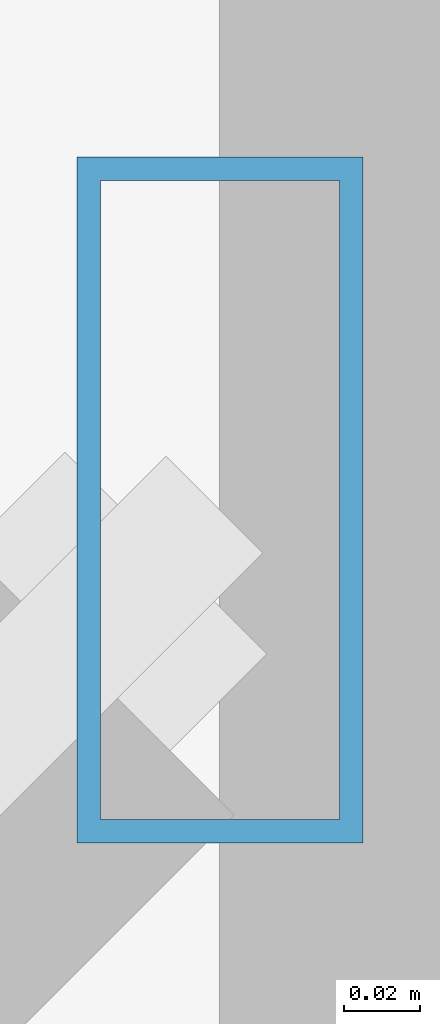
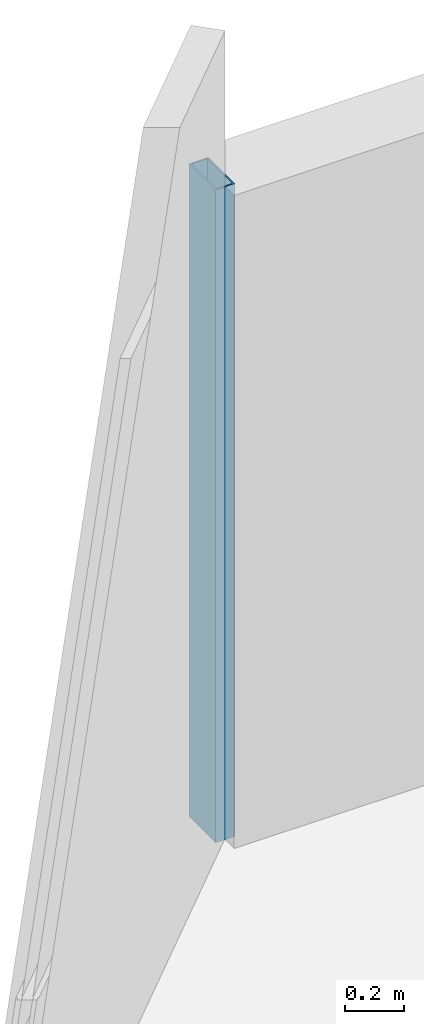
# One storey, part 18 of 34: 1 member, 1 element without a shape of its own.
"""IFC4 building model written with IfcOpenShell, lengths in metres."""

from ifc_helpers import new_model, si_unit, direction, frame, origin, origin_2d, place, context, subcontext, project, spatial, hollow_rectangle, extrude, material, material_profile, profile_set, type_object, element, aggregate, save


model = new_model("IFC4")

# Units and contexts
model_context = context("Model", 3, precision=1e-05, world=origin(), true_north=direction((0.0, 1.0)))
body_context = subcontext(model_context, "Body", "Model", "MODEL_VIEW")
ifc_project = project(units=[si_unit("LENGTHUNIT", "METRE"), si_unit("AREAUNIT", "SQUARE_METRE"), si_unit("VOLUMEUNIT", "CUBIC_METRE"), si_unit("PLANEANGLEUNIT", "RADIAN"), si_unit("MASSUNIT", "GRAM", prefix="KILO")], contexts=[model_context])

# Site, building, storey
site_placement = place(None, origin())
site = spatial("IfcSite", under=ifc_project, at=site_placement, CompositionType="ELEMENT")
building_placement = place(site_placement, origin())
building = spatial("IfcBuilding", under=site, at=building_placement, Name="Thornwick Lancets Civic Towers", CompositionType="ELEMENT")
storey_placement = place(building_placement, frame((0.0, 0.0, 258.300048828125)))
storey = spatial("IfcBuildingStorey", under=building, at=storey_placement, Name="L69", CompositionType="ELEMENT", Elevation=258.300048828125)

# Curtain wall, member
ifc_material_1 = material(Name="High-zone chamfered-corner unitised glass curtain wall", Category="glass")
curtain_wall_type = type_object("IfcCurtainWallType", Name="CW_SYS_05", PredefinedType="NOTDEFINED", material=ifc_material_1)
curtain_wall_placement = place(storey_placement, origin())
curtain_wall = element("IfcCurtainWall", 1, at=curtain_wall_placement, inside=storey, type_object=curtain_wall_type, Name="L69 Curtain Wall CW-L69-B-E5", PredefinedType="NOTDEFINED")
ifc_material_2 = material(Name="Thermally broken bronze aluminium S355", Category="steel")
ifc_material_profile = material_profile(ifc_material_2, hollow_rectangle(XDim=0.074951171875, YDim=0.179931640625, WallThickness=0.006103515625, at=origin_2d()), Name="RHS 180x75x6")
ifc_profile_set = profile_set([ifc_material_profile], Name="Thermally broken bronze aluminium S355")
member_type = type_object("IfcMemberType", Name="CW_MUL_180", PredefinedType="MULLION", material=ifc_profile_set)
member_placement = place(storey_placement, frame((74.6982421875, 50.760009765625, 0.0), z_axis=(0.0, 0.0, 1.0), x_axis=(1.0, 0.0, 0.0)))
member = element("IfcMember", 2, at=member_placement, type_object=member_type, Name="CW-L69-B-E5 Mullion 0", PredefinedType="MULLION", context=body_context, shape_type="SweptSolid", body=[
    extrude(hollow_rectangle(XDim=0.074951171875, YDim=0.179931640625, WallThickness=0.006103515625, at=origin_2d()), origin(), (0.0, 0.0, 1.0), 2.699951171875),
])
aggregate(curtain_wall, [member])

save(model, "model.ifc")
